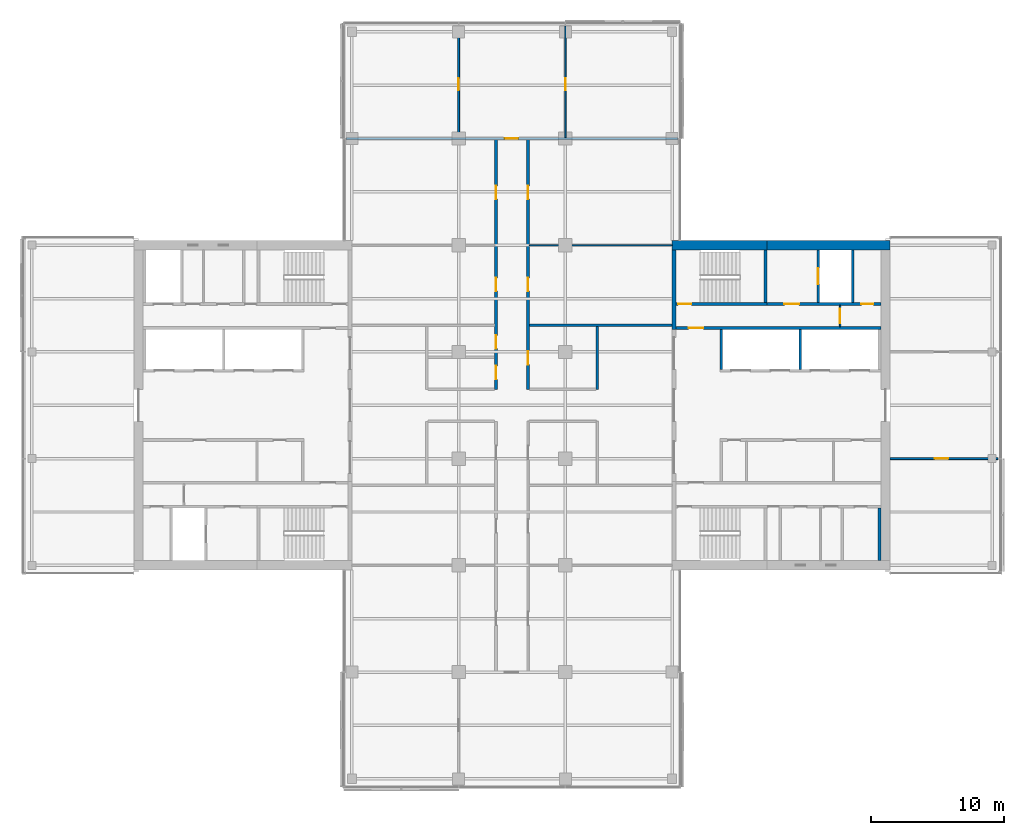
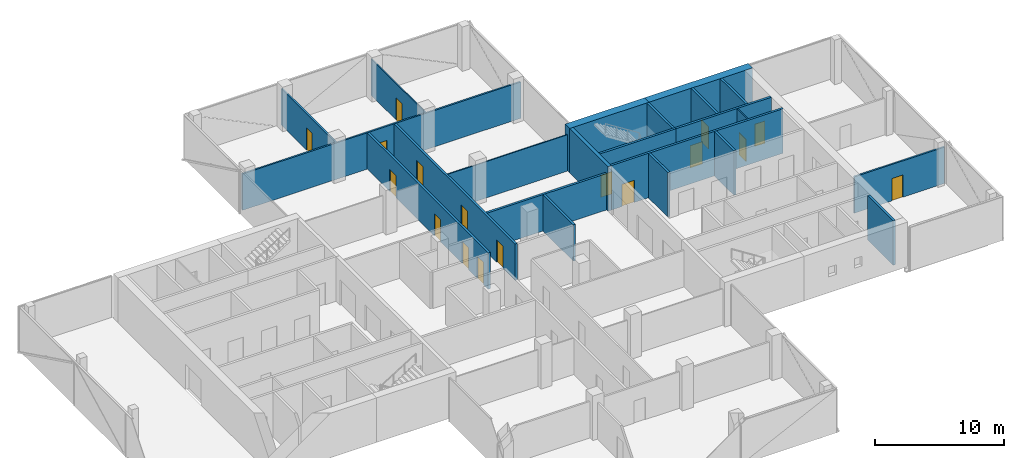
# One storey, part 16 of 22: 22 walls, 17 doors, 17 openings.
"""IFC4 building model written with IfcOpenShell, lengths in metres."""

import ifcopenshell
import ifcopenshell.guid

model = None  # the IFC model being written
_history = None  # IfcOwnerHistory: only IFC2X3 demands one
_inside = {}  # id of a spatial element -> (the spatial element, [elements in it])
_under = {}  # id of a project, library or spatial element -> (it, [spatial elements below it])
_declared = {}  # id of a project -> (the project, [libraries it declares])
_typed = {}  # id of a type object -> (the type object, [elements of that type])
_made_of = {}  # id of a material, layer set ... -> (it, [elements and type objects made of it])


def new_model(schema):
    """Start an empty IFC model of exactly this schema.

    Asked for "IFC4X3", IfcOpenShell would pick the latest addendum, in which some entities
    have other attributes; the version numbers below select the first issue.
    IFC2X3 requires an IfcOwnerHistory on every rooted entity: one is made here for all.
    """
    global model, _history
    if schema == "IFC4X3":
        model = ifcopenshell.file(schema_version=(4, 3, 0, 0))
    else:
        model = ifcopenshell.file(schema=schema)
    _inside.clear()
    _under.clear()
    _declared.clear()
    _typed.clear()
    _made_of.clear()
    _history = None
    if model.schema == "IFC2X3":
        org = make("IfcOrganization", Name="unknown")
        user = make(
            "IfcPersonAndOrganization",
            ThePerson=make("IfcPerson", FamilyName="unknown"),
            TheOrganization=org,
        )
        app = make(
            "IfcApplication",
            ApplicationDeveloper=org,
            Version="unknown",
            ApplicationFullName="unknown",
            ApplicationIdentifier="unknown",
        )
        _history = make(
            "IfcOwnerHistory",
            OwningUser=user,
            OwningApplication=app,
            ChangeAction="ADDED",
            CreationDate=0,
        )
    return model


def make(cls, **values):
    """One entity of the class cls with the attributes given. An attribute that is None is left unset."""
    return model.create_entity(
        cls, **{name: value for name, value in values.items() if value is not None}
    )


def rooted(cls, **values):
    """An entity with a GlobalId (a new one), such as an element, a storey or a relation."""
    return make(cls, GlobalId=ifcopenshell.guid.new(), OwnerHistory=_history, **values)


def si_unit(unit_type, name, prefix=None):
    """IfcSIUnit, for example si_unit("LENGTHUNIT", "METRE", prefix="MILLI")."""
    return make("IfcSIUnit", UnitType=unit_type, Prefix=prefix, Name=name)


def assignment(units):
    """IfcUnitAssignment: the units of a project."""
    return None if units is None else make("IfcUnitAssignment", Units=units)


def point(xyz):
    """IfcCartesianPoint."""
    return None if xyz is None else make("IfcCartesianPoint", Coordinates=xyz)


def direction(xyz):
    """IfcDirection."""
    return None if xyz is None else make("IfcDirection", DirectionRatios=xyz)


def frame(location, z_axis=None, x_axis=None):
    """IfcAxis2Placement3D, a coordinate frame: its origin and axes. An axis left out is left unset."""
    return make(
        "IfcAxis2Placement3D",
        Location=point(location),
        Axis=direction(z_axis),
        RefDirection=direction(x_axis),
    )


def frame_2d(location, x_axis=None):
    """IfcAxis2Placement2D, a coordinate frame in the plane: its origin and x axis."""
    return make(
        "IfcAxis2Placement2D", Location=point(location), RefDirection=direction(x_axis)
    )


def origin():
    """The frame at (0, 0, 0) with its axes left unset."""
    return frame((0.0, 0.0, 0.0))


def place(relative_to, where):
    """IfcLocalPlacement: puts the frame where relative to a parent placement (None: the world)."""
    return make(
        "IfcLocalPlacement", PlacementRelTo=relative_to, RelativePlacement=where
    )


def context(
    kind, dimensions, precision=None, world=None, true_north=None, identifier=None
):
    """IfcGeometricRepresentationContext, for example the 3D "Model" context."""
    return make(
        "IfcGeometricRepresentationContext",
        ContextIdentifier=identifier,
        ContextType=kind,
        CoordinateSpaceDimension=dimensions,
        Precision=precision,
        WorldCoordinateSystem=world,
        TrueNorth=true_north,
    )


def subcontext(parent, identifier, kind, view, scale=None):
    """IfcGeometricRepresentationSubContext, for example "Body" below "Model"."""
    return make(
        "IfcGeometricRepresentationSubContext",
        ContextIdentifier=identifier,
        ContextType=kind,
        ParentContext=parent,
        TargetScale=scale,
        TargetView=view,
    )


def project(units=None, contexts=None):
    """IfcProject with its units and contexts."""
    return rooted(
        "IfcProject",
        Name="project",
        RepresentationContexts=contexts,
        UnitsInContext=assignment(units),
    )


def spatial(cls, under=None, at=None, **own):
    """A site, building, storey or space (cls), placed at a placement, below another one or the project."""
    s = rooted(cls, ObjectPlacement=at, **own)
    if under is not None:
        _under.setdefault(under.id(), (under, []))[1].append(s)
    return s


def profile(cls, at=None, kind="AREA", **sizes):
    """A parametric profile (cls). Its sizes go by their IFC names, for example OverallWidth=200.0."""
    return make(cls, ProfileType=kind, Position=at, **sizes)


def rectangle(**sizes):
    """IfcRectangleProfileDef."""
    return profile("IfcRectangleProfileDef", **sizes)


def extrude(swept, where, along, depth):
    """IfcExtrudedAreaSolid: the profile swept, set in the frame where, extruded along a direction by depth."""
    return make(
        "IfcExtrudedAreaSolid",
        SweptArea=swept,
        Position=where,
        ExtrudedDirection=direction(along),
        Depth=depth,
    )


def shape(context_of_items, identifier, shape_type, items):
    """IfcShapeRepresentation: the items that make up one representation, for example the "Body"."""
    return make(
        "IfcShapeRepresentation",
        ContextOfItems=context_of_items,
        RepresentationIdentifier=identifier,
        RepresentationType=shape_type,
        Items=items,
    )


def material(Name=None, Category=None):
    """IfcMaterial."""
    return make("IfcMaterial", Name=Name, Category=Category)


def layer(
    of_material, thickness, ventilated=None, Name=None, Category=None, Priority=None
):
    """IfcMaterialLayer: one layer of a wall or slab, of a material (None: an air gap)."""
    return make(
        "IfcMaterialLayer",
        Material=of_material,
        LayerThickness=thickness,
        IsVentilated=ventilated,
        Name=Name,
        Category=Category,
        Priority=Priority,
    )


def layer_set(layers, Name=None):
    """IfcMaterialLayerSet."""
    return make("IfcMaterialLayerSet", MaterialLayers=layers, LayerSetName=Name)


def constituent(of_material, Name=None, Category=None, fraction=None):
    """IfcMaterialConstituent: one of the materials an element consists of."""
    return make(
        "IfcMaterialConstituent",
        Name=Name,
        Material=of_material,
        Fraction=fraction,
        Category=Category,
    )


def constituent_set(constituents=None, Name=None):
    """IfcMaterialConstituentSet."""
    return make(
        "IfcMaterialConstituentSet", Name=Name, MaterialConstituents=constituents
    )


def made_of(thing, what):
    """Note that an element or type object is made of a material, layer set ...; save() writes the relation."""
    if what is not None:
        _made_of.setdefault(what.id(), (what, []))[1].append(thing)
    return thing


def type_object(cls, material=None, **own):
    """A type object (cls), such as IfcWallType, which elements share."""
    return made_of(rooted(cls, **own), material)


def element(
    cls,
    number,
    at=None,
    inside=None,
    cuts=None,
    type_object=None,
    material=None,
    context=None,
    identifier="Body",
    shape_type=None,
    held_by="IfcProductDefinitionShape",
    body=None,
    shapes=None,
    **own,
):
    """One element of the class cls, such as IfcWall. Its Tag is "e" and its number.

    at: its placement. inside: the storey or other place that contains it. cuts: it is an
    opening in that element (IfcRelVoidsElement). A single representation is given by context,
    identifier, shape_type and body (its items); several are given by shapes. held_by: the class
    of the entity that holds the representations. save() writes the other relations.
    """
    e = rooted(cls, Tag="e%d" % number, ObjectPlacement=at, **own)
    if body is not None:
        shapes = [shape(context, identifier, shape_type, body)]
    if shapes is not None:
        e.Representation = make(held_by, Representations=shapes)
    if inside is not None:
        _inside.setdefault(inside.id(), (inside, []))[1].append(e)
    if cuts is not None:
        rooted(
            "IfcRelVoidsElement", RelatingBuildingElement=cuts, RelatedOpeningElement=e
        )
    if type_object is not None:
        _typed.setdefault(type_object.id(), (type_object, []))[1].append(e)
    return made_of(e, material)


def fill(opening, filler):
    """IfcRelFillsElement: the door or window that sits in an opening."""
    return rooted(
        "IfcRelFillsElement",
        RelatingOpeningElement=opening,
        RelatedBuildingElement=filler,
    )


def aggregate(whole, parts):
    """IfcRelAggregates: a whole, such as a stair, and the parts it consists of."""
    return rooted("IfcRelAggregates", RelatingObject=whole, RelatedObjects=parts)


def save(model, path):
    """Write the relations noted so far, then the file.

    IfcRelAggregates (storeys below a building ...), IfcRelContainedInSpatialStructure (elements
    in a storey), IfcRelDefinesByType, IfcRelAssociatesMaterial and IfcRelDeclares: one each for
    every whole, place, type object, material and project.
    """
    for whole, parts in _under.values():
        aggregate(whole, parts)
    for where, things in _inside.values():
        rooted(
            "IfcRelContainedInSpatialStructure",
            RelatedElements=things,
            RelatingStructure=where,
        )
    for kind, things in _typed.values():
        rooted("IfcRelDefinesByType", RelatedObjects=things, RelatingType=kind)
    for what, things in _made_of.values():
        rooted("IfcRelAssociatesMaterial", RelatedObjects=things, RelatingMaterial=what)
    for by, libraries in _declared.values():
        rooted("IfcRelDeclares", RelatingContext=by, RelatedDefinitions=libraries)
    model.write(path)


model = new_model("IFC4")

# Units and contexts
model_context = context("Model", 3, precision=1e-05, world=origin(), true_north=direction((0.0, 1.0)))
body_context = subcontext(model_context, "Body", "Model", "MODEL_VIEW")
ifc_project = project(units=[si_unit("LENGTHUNIT", "METRE"), si_unit("AREAUNIT", "SQUARE_METRE"), si_unit("VOLUMEUNIT", "CUBIC_METRE"), si_unit("PLANEANGLEUNIT", "RADIAN"), si_unit("MASSUNIT", "GRAM", prefix="KILO")], contexts=[model_context])

# Site, building, storey
site_placement = place(None, origin())
site = spatial("IfcSite", under=ifc_project, at=site_placement, CompositionType="ELEMENT")
building_placement = place(site_placement, origin())
building = spatial("IfcBuilding", under=site, at=building_placement, Name="Crosswind Convention Tower", CompositionType="ELEMENT")
storey_placement = place(building_placement, frame((0.0, 0.0, 129.5)))
storey = spatial("IfcBuildingStorey", under=building, at=storey_placement, Name="L26", CompositionType="ELEMENT", Elevation=129.5)

# Wall, openings, doors
ifc_material_1 = material(Name="Concrete blockwork", Category="masonry")
ifc_layer_1 = layer(ifc_material_1, 0.199951171875)
ifc_layer_set_1 = layer_set([ifc_layer_1], Name="COMPARTMENT WALL 200 BLOCKWORK")
wall_type_1 = type_object("IfcWallType", Name="COMPARTMENT WALL 200 BLOCKWORK", PredefinedType="SOLIDWALL", material=ifc_layer_set_1)
wall_1_placement = place(storey_placement, frame((123.800048828125, 101.199951171875, 0.0), z_axis=(0.0, 0.0, 1.0), x_axis=(0.0, 1.0, 0.0)))
wall_1 = element("IfcWall", 1, at=wall_1_placement, inside=storey, type_object=wall_type_1, Name="Compartment wall WT42", PredefinedType="SOLIDWALL", context=body_context, shape_type="SweptSolid", body=[
    extrude(rectangle(XDim=18.72509765625, YDim=0.199951171875, at=frame_2d((9.362548828125, 0.0))), origin(), (0.0, 0.0, 1.0), 3.436279296875),
])
opening_1_placement = place(wall_1_placement, frame((0.75, 0.0, 0.0)))
opening_1 = element("IfcOpeningElement", 2, at=opening_1_placement, cuts=wall_1, Name="Opening L26-56", PredefinedType="OPENING", context=body_context, shape_type="SweptSolid", body=[
    extrude(rectangle(XDim=1.0, YDim=2.10009765625, at=frame_2d((0.5, 1.050048828125))), frame((0.0, 0.10986328125, 0.0), z_axis=(0.0, -1.0, 0.0), x_axis=(1.0, 0.0, 0.0)), (0.0, 0.0, 1.0), 0.219970703125),
])
opening_2_placement = place(wall_1_placement, frame((3.050048828125, 0.0, 0.0)))
opening_2 = element("IfcOpeningElement", 3, at=opening_2_placement, cuts=wall_1, Name="Opening L26-57", PredefinedType="OPENING", context=body_context, shape_type="SweptSolid", body=[
    extrude(rectangle(XDim=1.0, YDim=2.10009765625, at=frame_2d((0.5, 1.050048828125))), frame((0.0, 0.10986328125, 0.0), z_axis=(0.0, -1.0, 0.0), x_axis=(1.0, 0.0, 0.0)), (0.0, 0.0, 1.0), 0.219970703125),
])
opening_3_placement = place(wall_1_placement, frame((7.35009765625, 0.0, 0.0)))
opening_3 = element("IfcOpeningElement", 4, at=opening_3_placement, cuts=wall_1, Name="Opening L26-58", PredefinedType="OPENING", context=body_context, shape_type="SweptSolid", body=[
    extrude(rectangle(XDim=1.0, YDim=2.10009765625, at=frame_2d((0.5, 1.050048828125))), frame((0.0, 0.10986328125, 0.0), z_axis=(0.0, -1.0, 0.0), x_axis=(1.0, 0.0, 0.0)), (0.0, 0.0, 1.0), 0.219970703125),
])
opening_4_placement = place(wall_1_placement, frame((14.25, 0.0, 0.0)))
opening_4 = element("IfcOpeningElement", 5, at=opening_4_placement, cuts=wall_1, Name="Opening L26-59", PredefinedType="OPENING", context=body_context, shape_type="SweptSolid", body=[
    extrude(rectangle(XDim=1.0, YDim=2.10009765625, at=frame_2d((0.5, 1.050048828125))), frame((0.0, 0.10986328125, 0.0), z_axis=(0.0, -1.0, 0.0), x_axis=(1.0, 0.0, 0.0)), (0.0, 0.0, 1.0), 0.219970703125),
])
ifc_material_2 = material(Name="Steel fire door", Category="steel")
door_type_1 = type_object("IfcDoorType", Name="PLANT ROOM DOOR 1000X2100 FD60", OperationType="NOTDEFINED", PredefinedType="DOOR", material=ifc_material_2)
door_1_placement = place(opening_1_placement, origin())
door_1 = element("IfcDoor", 6, at=door_1_placement, inside=storey, type_object=door_type_1, Name="Door L26-56", ObjectType="D43", OperationType="SINGLE_SWING_RIGHT", OverallHeight=2.10009765625, OverallWidth=1.0, PredefinedType="DOOR", context=body_context, shape_type="SweptSolid", body=[
    extrude(rectangle(XDim=1.0, YDim=2.10009765625, at=frame_2d((0.5, 1.050048828125))), frame((0.0, 0.02490234375, 0.0), z_axis=(0.0, -1.0, 0.0), x_axis=(1.0, 0.0, 0.0)), (0.0, 0.0, 1.0), 0.050048828125),
])
fill(opening_1, door_1)
ifc_material_3 = material(Name="Timber fire door", Category="wood")
door_type_2 = type_object("IfcDoorType", Name="TENANCY ENTRANCE DOOR 1000X2100 FD30S", OperationType="NOTDEFINED", PredefinedType="DOOR", material=ifc_material_3)
door_2_placement = place(opening_2_placement, origin())
door_2 = element("IfcDoor", 7, at=door_2_placement, inside=storey, type_object=door_type_2, Name="Door L26-57", ObjectType="D41", OperationType="SINGLE_SWING_LEFT", OverallHeight=2.10009765625, OverallWidth=1.0, PredefinedType="DOOR", context=body_context, shape_type="SweptSolid", body=[
    extrude(rectangle(XDim=1.0, YDim=2.10009765625, at=frame_2d((0.5, 1.050048828125))), frame((0.0, 0.02490234375, 0.0), z_axis=(0.0, -1.0, 0.0), x_axis=(1.0, 0.0, 0.0)), (0.0, 0.0, 1.0), 0.050048828125),
])
fill(opening_2, door_2)
door_3_placement = place(opening_3_placement, origin())
door_3 = element("IfcDoor", 8, at=door_3_placement, inside=storey, type_object=door_type_2, Name="Door L26-58", ObjectType="D41", OperationType="SINGLE_SWING_RIGHT", OverallHeight=2.10009765625, OverallWidth=1.0, PredefinedType="DOOR", context=body_context, shape_type="SweptSolid", body=[
    extrude(rectangle(XDim=1.0, YDim=2.10009765625, at=frame_2d((0.5, 1.050048828125))), frame((0.0, 0.02490234375, 0.0), z_axis=(0.0, -1.0, 0.0), x_axis=(1.0, 0.0, 0.0)), (0.0, 0.0, 1.0), 0.050048828125),
])
fill(opening_3, door_3)
door_4_placement = place(opening_4_placement, origin())
door_4 = element("IfcDoor", 9, at=door_4_placement, inside=storey, type_object=door_type_2, Name="Door L26-59", ObjectType="D41", OperationType="SINGLE_SWING_LEFT", OverallHeight=2.10009765625, OverallWidth=1.0, PredefinedType="DOOR", context=body_context, shape_type="SweptSolid", body=[
    extrude(rectangle(XDim=1.0, YDim=2.10009765625, at=frame_2d((0.5, 1.050048828125))), frame((0.0, 0.02490234375, 0.0), z_axis=(0.0, -1.0, 0.0), x_axis=(1.0, 0.0, 0.0)), (0.0, 0.0, 1.0), 0.050048828125),
])
fill(opening_4, door_4)

wall_2_placement = place(storey_placement, frame((126.199951171875, 101.199951171875, 0.0), z_axis=(0.0, 0.0, 1.0), x_axis=(0.0, 1.0, 0.0)))
wall_2 = element("IfcWall", 10, at=wall_2_placement, inside=storey, type_object=wall_type_1, Name="Compartment wall WT42", PredefinedType="SOLIDWALL", context=body_context, shape_type="SweptSolid", body=[
    extrude(rectangle(XDim=18.72509765625, YDim=0.199951171875, at=frame_2d((9.362548828125, 0.0))), origin(), (0.0, 0.0, 1.0), 3.436279296875),
])
opening_5_placement = place(wall_2_placement, frame((1.85009765625, 0.0, 0.0)))
opening_5 = element("IfcOpeningElement", 11, at=opening_5_placement, cuts=wall_2, Name="Opening L26-50", PredefinedType="OPENING", context=body_context, shape_type="SweptSolid", body=[
    extrude(rectangle(XDim=1.0, YDim=2.10009765625, at=frame_2d((0.5, 1.050048828125))), frame((0.0, 0.10986328125, 0.0), z_axis=(0.0, -1.0, 0.0), x_axis=(1.0, 0.0, 0.0)), (0.0, 0.0, 1.0), 0.219970703125),
])
opening_6_placement = place(wall_2_placement, frame((7.35009765625, 0.0, 0.0)))
opening_6 = element("IfcOpeningElement", 12, at=opening_6_placement, cuts=wall_2, Name="Opening L26-51", PredefinedType="OPENING", context=body_context, shape_type="SweptSolid", body=[
    extrude(rectangle(XDim=1.0, YDim=2.10009765625, at=frame_2d((0.5, 1.050048828125))), frame((0.0, 0.10986328125, 0.0), z_axis=(0.0, -1.0, 0.0), x_axis=(1.0, 0.0, 0.0)), (0.0, 0.0, 1.0), 0.219970703125),
])
opening_7_placement = place(wall_2_placement, frame((14.25, 0.0, 0.0)))
opening_7 = element("IfcOpeningElement", 13, at=opening_7_placement, cuts=wall_2, Name="Opening L26-52", PredefinedType="OPENING", context=body_context, shape_type="SweptSolid", body=[
    extrude(rectangle(XDim=1.0, YDim=2.10009765625, at=frame_2d((0.5, 1.050048828125))), frame((0.0, 0.10986328125, 0.0), z_axis=(0.0, -1.0, 0.0), x_axis=(1.0, 0.0, 0.0)), (0.0, 0.0, 1.0), 0.219970703125),
])
door_5_placement = place(opening_5_placement, frame((1.0, 0.0, 0.0), z_axis=(0.0, 0.0, 1.0), x_axis=(-1.0, 0.0, 0.0)))
door_5 = element("IfcDoor", 14, at=door_5_placement, inside=storey, type_object=door_type_1, Name="Door L26-50", ObjectType="D43", OperationType="SINGLE_SWING_RIGHT", OverallHeight=2.10009765625, OverallWidth=1.0, PredefinedType="DOOR", context=body_context, shape_type="SweptSolid", body=[
    extrude(rectangle(XDim=1.0, YDim=2.10009765625, at=frame_2d((0.5, 1.050048828125))), frame((0.0, 0.02490234375, 0.0), z_axis=(0.0, -1.0, 0.0), x_axis=(1.0, 0.0, 0.0)), (0.0, 0.0, 1.0), 0.050048828125),
])
fill(opening_5, door_5)
door_6_placement = place(opening_6_placement, origin())
door_6 = element("IfcDoor", 15, at=door_6_placement, inside=storey, type_object=door_type_2, Name="Door L26-51", ObjectType="D41", OperationType="SINGLE_SWING_RIGHT", OverallHeight=2.10009765625, OverallWidth=1.0, PredefinedType="DOOR", context=body_context, shape_type="SweptSolid", body=[
    extrude(rectangle(XDim=1.0, YDim=2.10009765625, at=frame_2d((0.5, 1.050048828125))), frame((0.0, 0.02490234375, 0.0), z_axis=(0.0, -1.0, 0.0), x_axis=(1.0, 0.0, 0.0)), (0.0, 0.0, 1.0), 0.050048828125),
])
fill(opening_6, door_6)
door_7_placement = place(opening_7_placement, frame((1.0, 0.0, 0.0), z_axis=(0.0, 0.0, 1.0), x_axis=(-1.0, 0.0, 0.0)))
door_7 = element("IfcDoor", 16, at=door_7_placement, inside=storey, type_object=door_type_2, Name="Door L26-52", ObjectType="D41", OperationType="SINGLE_SWING_RIGHT", OverallHeight=2.10009765625, OverallWidth=1.0, PredefinedType="DOOR", context=body_context, shape_type="SweptSolid", body=[
    extrude(rectangle(XDim=1.0, YDim=2.10009765625, at=frame_2d((0.5, 1.050048828125))), frame((0.0, 0.02490234375, 0.0), z_axis=(0.0, -1.0, 0.0), x_axis=(1.0, 0.0, 0.0)), (0.0, 0.0, 1.0), 0.050048828125),
])
fill(opening_7, door_7)

# Walls
wall_3_placement = place(storey_placement, frame((131.39990234375, 101.199951171875, 0.0), z_axis=(0.0, 0.0, 1.0), x_axis=(0.0, 1.0, 0.0)))
element("IfcWall", 17, at=wall_3_placement, inside=storey, type_object=wall_type_1, Name="Compartment wall WT42", PredefinedType="SOLIDWALL", context=body_context, shape_type="SweptSolid", body=[
    extrude(rectangle(XDim=4.699951171875, YDim=0.199951171875, at=frame_2d((2.35009765625, 0.0))), origin(), (0.0, 0.0, 1.0), 3.436279296875),
])
wall_4_placement = place(storey_placement, frame((126.300048828125, 106.0, 0.0), z_axis=(0.0, 0.0, 1.0), x_axis=(1.0, 0.0, 0.0)))
element("IfcWall", 18, at=wall_4_placement, inside=storey, type_object=wall_type_1, Name="Compartment wall WT42", PredefinedType="SOLIDWALL", context=body_context, shape_type="SweptSolid", body=[
    extrude(rectangle(XDim=10.699951171875, YDim=0.199951171875, at=frame_2d((5.35009765625, 0.0))), origin(), (0.0, 0.0, 1.0), 3.436279296875),
])
ifc_material_4 = material(Name="Concrete C50/60", Category="concrete")
ifc_layer_2 = layer(ifc_material_4, 0.300048828125)
ifc_layer_set_2 = layer_set([ifc_layer_2], Name="Concrete C50/60")
wall_type_2 = type_object("IfcWallType", Name="Concrete inner core wall 300", PredefinedType="SHEAR", material=ifc_layer_set_2)
wall_5_placement = place(storey_placement, frame((137.14990234375, 105.699951171875, 0.0), z_axis=(0.0, 0.0, 1.0), x_axis=(0.0, 1.0, 0.0)))
element("IfcWall", 19, at=wall_5_placement, inside=storey, type_object=wall_type_2, Name="Wall EP E L26", PredefinedType="SHEAR", context=body_context, shape_type="SweptSolid", body=[
    extrude(rectangle(XDim=5.949951171875, YDim=0.300048828125, at=frame_2d((2.97509765625, 0.0))), origin(), (0.0, 0.0, 1.0), 4.199951171875),
])
ifc_layer_3 = layer(ifc_material_4, 0.199951171875)
ifc_layer_set_3 = layer_set([ifc_layer_3], Name="Concrete C50/60")
wall_type_3 = type_object("IfcWallType", Name="Concrete shaft and stair wall 200", PredefinedType="SHEAR", material=ifc_layer_set_3)
for number, where, z_axis, x_axis, name in (
    (20, (140.699951171875, 102.699951171875, 0.0), (0.0, 0.0, 1.0), (0.0, 1.0, 0.0), "Wall RPEND E L26"),
    (21, (146.60009765625, 102.699951171875, 0.0), (0.0, 0.0, 1.0), (0.0, 1.0, 0.0), "Wall RPSEP E L26"),
):
    element("IfcWall", number, at=place(storey_placement, frame(where, z_axis=z_axis, x_axis=x_axis)), inside=storey, type_object=wall_type_3, Name=name, PredefinedType="SHEAR", context=body_context, shape_type="SweptSolid", body=[
        extrude(rectangle(XDim=3.0, YDim=0.199951171875, at=frame_2d((1.5, 0.0))), origin(), (0.0, 0.0, 1.0), 4.199951171875),
    ])

# Wall, opening, door
wall_6_placement = place(storey_placement, frame((137.300048828125, 105.800048828125, 0.0), z_axis=(0.0, 0.0, 1.0), x_axis=(1.0, 0.0, 0.0)))
wall_6 = element("IfcWall", 22, at=wall_6_placement, inside=storey, type_object=wall_type_3, Name="Wall HP E L26", PredefinedType="SHEAR", context=body_context, shape_type="SweptSolid", body=[
    extrude(rectangle(XDim=15.349853515625, YDim=0.199951171875, at=frame_2d((7.6748046875, 0.0))), origin(), (0.0, 0.0, 1.0), 4.199951171875),
])
opening_8_placement = place(wall_6_placement, frame((0.949951171875, 0.0, 0.0)))
opening_8 = element("IfcOpeningElement", 23, at=opening_8_placement, cuts=wall_6, Name="Opening D104", PredefinedType="OPENING", context=body_context, shape_type="SweptSolid", body=[
    extrude(rectangle(XDim=1.10009765625, YDim=2.10009765625, at=frame_2d((0.550048828125, 1.050048828125))), frame((0.0, 0.10986328125, 0.0), z_axis=(0.0, -1.0, 0.0), x_axis=(1.0, 0.0, 0.0)), (0.0, 0.0, 1.0), 0.219970703125),
])
door_type_3 = type_object("IfcDoorType", Name="Fire-rated single door 1100x2100", OperationType="NOTDEFINED", PredefinedType="DOOR", material=ifc_material_2)
door_8_placement = place(opening_8_placement, origin())
door_8 = element("IfcDoor", 24, at=door_8_placement, inside=storey, type_object=door_type_3, Name="Corridor door L26", ObjectType="D104", OperationType="SINGLE_SWING_LEFT", OverallHeight=2.10009765625, OverallWidth=1.10009765625, PredefinedType="DOOR", context=body_context, shape_type="SweptSolid", body=[
    extrude(rectangle(XDim=1.10009765625, YDim=2.10009765625, at=frame_2d((0.550048828125, 1.050048828125))), frame((0.0, 0.02490234375, 0.0), z_axis=(0.0, -1.0, 0.0), x_axis=(1.0, 0.0, 0.0)), (0.0, 0.0, 1.0), 0.050048828125),
])
fill(opening_8, door_8)

# Wall
wall_7_placement = place(storey_placement, frame((144.0, 107.699951171875, 0.0), z_axis=(0.0, 0.0, 1.0), x_axis=(0.0, 1.0, 0.0)))
element("IfcWall", 25, at=wall_7_placement, inside=storey, type_object=wall_type_3, Name="Wall PSE E L26", PredefinedType="SHEAR", context=body_context, shape_type="SweptSolid", body=[
    extrude(rectangle(XDim=3.949951171875, YDim=0.199951171875, at=frame_2d((1.97509765625, 0.0))), origin(), (0.0, 0.0, 1.0), 4.199951171875),
])

# Wall, opening, door
wall_8_placement = place(storey_placement, frame((147.949951171875, 107.699951171875, 0.0), z_axis=(0.0, 0.0, 1.0), x_axis=(0.0, 1.0, 0.0)))
wall_8 = element("IfcWall", 26, at=wall_8_placement, inside=storey, type_object=wall_type_3, Name="Wall PFLW E L26", PredefinedType="SHEAR", context=body_context, shape_type="SweptSolid", body=[
    extrude(rectangle(XDim=3.949951171875, YDim=0.199951171875, at=frame_2d((1.97509765625, 0.0))), origin(), (0.0, 0.0, 1.0), 4.199951171875),
])
opening_9_placement = place(wall_8_placement, frame((1.375, 0.0, 0.0)))
opening_9 = element("IfcOpeningElement", 27, at=opening_9_placement, cuts=wall_8, Name="Opening LD1", PredefinedType="OPENING", context=body_context, shape_type="SweptSolid", body=[
    extrude(rectangle(XDim=1.199951171875, YDim=2.10009765625, at=frame_2d((0.60009765625, 1.050048828125))), frame((0.0, 0.10986328125, 0.0), z_axis=(0.0, -1.0, 0.0), x_axis=(1.0, 0.0, 0.0)), (0.0, 0.0, 1.0), 0.219970703125),
])
ifc_material_5 = material(Name="Stainless steel", Category="steel")
door_type_4 = type_object("IfcDoorType", Name="Lift landing door 1200x2100", OperationType="DOUBLE_DOOR_SLIDING", PredefinedType="DOOR", material=ifc_material_5)
door_9_placement = place(opening_9_placement, origin())
door_9 = element("IfcDoor", 28, at=door_9_placement, inside=storey, type_object=door_type_4, Name="Landing door FF1 L26", ObjectType="LD1", OperationType="DOUBLE_DOOR_SLIDING", OverallHeight=2.10009765625, OverallWidth=1.199951171875, PredefinedType="DOOR", context=body_context, shape_type="SweptSolid", body=[
    extrude(rectangle(XDim=1.199951171875, YDim=2.10009765625, at=frame_2d((0.60009765625, 1.050048828125))), frame((0.0, 0.02490234375, 0.0), z_axis=(0.0, -1.0, 0.0), x_axis=(1.0, 0.0, 0.0)), (0.0, 0.0, 1.0), 0.050048828125),
])
fill(opening_9, door_9)

# Wall
wall_9_placement = place(storey_placement, frame((150.550048828125, 107.699951171875, 0.0), z_axis=(0.0, 0.0, 1.0), x_axis=(0.0, 1.0, 0.0)))
element("IfcWall", 29, at=wall_9_placement, inside=storey, type_object=wall_type_3, Name="Wall PFSE E L26", PredefinedType="SHEAR", context=body_context, shape_type="SweptSolid", body=[
    extrude(rectangle(XDim=3.949951171875, YDim=0.199951171875, at=frame_2d((1.97509765625, 0.0))), origin(), (0.0, 0.0, 1.0), 4.199951171875),
])

# Wall, opening, door
wall_10_placement = place(storey_placement, frame((137.300048828125, 107.60009765625, 0.0), z_axis=(0.0, 0.0, 1.0), x_axis=(1.0, 0.0, 0.0)))
wall_10 = element("IfcWall", 30, at=wall_10_placement, inside=storey, type_object=wall_type_3, Name="Wall PCW E L26", PredefinedType="SHEAR", context=body_context, shape_type="SweptSolid", body=[
    extrude(rectangle(XDim=6.800048828125, YDim=0.199951171875, at=frame_2d((3.39990234375, 0.0))), origin(), (0.0, 0.0, 1.0), 4.199951171875),
])
opening_10_placement = place(wall_10_placement, frame((0.14990234375, 0.0, 0.0)))
opening_10 = element("IfcOpeningElement", 31, at=opening_10_placement, cuts=wall_10, Name="Opening D103", PredefinedType="OPENING", context=body_context, shape_type="SweptSolid", body=[
    extrude(rectangle(XDim=1.0, YDim=2.10009765625, at=frame_2d((0.5, 1.050048828125))), frame((0.0, 0.10986328125, 0.0), z_axis=(0.0, -1.0, 0.0), x_axis=(1.0, 0.0, 0.0)), (0.0, 0.0, 1.0), 0.219970703125),
])
door_type_5 = type_object("IfcDoorType", Name="Fire-rated single door 1000x2100", OperationType="NOTDEFINED", PredefinedType="DOOR", material=ifc_material_2)
door_10_placement = place(opening_10_placement, origin())
door_10 = element("IfcDoor", 32, at=door_10_placement, inside=storey, type_object=door_type_5, Name="Stair ST1 door L26", ObjectType="D103", OperationType="SINGLE_SWING_LEFT", OverallHeight=2.10009765625, OverallWidth=1.0, PredefinedType="DOOR", context=body_context, shape_type="SweptSolid", body=[
    extrude(rectangle(XDim=1.0, YDim=2.10009765625, at=frame_2d((0.5, 1.050048828125))), frame((0.0, 0.02490234375, 0.0), z_axis=(0.0, -1.0, 0.0), x_axis=(1.0, 0.0, 0.0)), (0.0, 0.0, 1.0), 0.050048828125),
])
fill(opening_10, door_10)

# Wall, openings, doors
wall_11_placement = place(storey_placement, frame((144.10009765625, 107.60009765625, 0.0), z_axis=(0.0, 0.0, 1.0), x_axis=(1.0, 0.0, 0.0)))
wall_11 = element("IfcWall", 33, at=wall_11_placement, inside=storey, type_object=wall_type_3, Name="Wall PCX E L26", PredefinedType="SHEAR", context=body_context, shape_type="SweptSolid", body=[
    extrude(rectangle(XDim=8.5498046875, YDim=0.199951171875, at=frame_2d((4.27490234375, 0.0))), origin(), (0.0, 0.0, 1.0), 4.199951171875),
])
opening_11_placement = place(wall_11_placement, frame((1.324951171875, 0.0, 0.0)))
opening_11 = element("IfcOpeningElement", 34, at=opening_11_placement, cuts=wall_11, Name="Opening D104", PredefinedType="OPENING", context=body_context, shape_type="SweptSolid", body=[
    extrude(rectangle(XDim=1.10009765625, YDim=2.10009765625, at=frame_2d((0.550048828125, 1.050048828125))), frame((0.0, 0.10986328125, 0.0), z_axis=(0.0, -1.0, 0.0), x_axis=(1.0, 0.0, 0.0)), (0.0, 0.0, 1.0), 0.219970703125),
])
opening_12_placement = place(wall_11_placement, frame((7.10009765625, 0.0, 0.0)))
opening_12 = element("IfcOpeningElement", 35, at=opening_12_placement, cuts=wall_11, Name="Opening D106", PredefinedType="OPENING", context=body_context, shape_type="SweptSolid", body=[
    extrude(rectangle(XDim=0.89990234375, YDim=2.10009765625, at=frame_2d((0.449951171875, 1.050048828125))), frame((0.0, 0.10986328125, 0.0), z_axis=(0.0, -1.0, 0.0), x_axis=(1.0, 0.0, 0.0)), (0.0, 0.0, 1.0), 0.219970703125),
])
door_11_placement = place(opening_11_placement, origin())
door_11 = element("IfcDoor", 36, at=door_11_placement, inside=storey, type_object=door_type_3, Name="Fire-fighting lobby FF1 door L26", ObjectType="D104", OperationType="SINGLE_SWING_RIGHT", OverallHeight=2.10009765625, OverallWidth=1.10009765625, PredefinedType="DOOR", context=body_context, shape_type="SweptSolid", body=[
    extrude(rectangle(XDim=1.10009765625, YDim=2.10009765625, at=frame_2d((0.550048828125, 1.050048828125))), frame((0.0, 0.02490234375, 0.0), z_axis=(0.0, -1.0, 0.0), x_axis=(1.0, 0.0, 0.0)), (0.0, 0.0, 1.0), 0.050048828125),
])
fill(opening_11, door_11)
ifc_material_6 = material(Name="Timber door", Category="wood")
door_type_6 = type_object("IfcDoorType", Name="Single leaf door 900x2100", OperationType="NOTDEFINED", PredefinedType="DOOR", material=ifc_material_6)
door_12_placement = place(opening_12_placement, origin())
door_12 = element("IfcDoor", 37, at=door_12_placement, inside=storey, type_object=door_type_6, Name="Door to telecoms room L26", ObjectType="D106", OperationType="SINGLE_SWING_RIGHT", OverallHeight=2.10009765625, OverallWidth=0.89990234375, PredefinedType="DOOR", context=body_context, shape_type="SweptSolid", body=[
    extrude(rectangle(XDim=0.89990234375, YDim=2.10009765625, at=frame_2d((0.449951171875, 1.050048828125))), frame((0.0, 0.02490234375, 0.0), z_axis=(0.0, -1.0, 0.0), x_axis=(1.0, 0.0, 0.0)), (0.0, 0.0, 1.0), 0.050048828125),
])
fill(opening_12, door_12)

# Wall
wall_12_placement = place(storey_placement, frame((152.550048828125, 88.35009765625, 0.0), z_axis=(0.0, 0.0, 1.0), x_axis=(0.0, 1.0, 0.0)))
element("IfcWall", 38, at=wall_12_placement, inside=storey, type_object=wall_type_3, Name="Wall MFSE E L26", PredefinedType="SHEAR", context=body_context, shape_type="SweptSolid", body=[
    extrude(rectangle(XDim=3.949951171875, YDim=0.199951171875, at=frame_2d((1.97509765625, 0.0))), origin(), (0.0, 0.0, 1.0), 4.199951171875),
])

# Wall, opening, door
ifc_material_7 = material(Name="Gypsum plasterboard partition", Category="gypsum")
ifc_layer_4 = layer(ifc_material_7, 0.125)
ifc_layer_set_4 = layer_set([ifc_layer_4], Name="Drywall partition wall 125")
wall_type_4 = type_object("IfcWallType", Name="Drywall partition wall 125", PredefinedType="PARTITIONING", material=ifc_layer_set_4)
wall_13_placement = place(storey_placement, frame((149.60009765625, 105.89990234375, 0.0), z_axis=(0.0, 0.0, 1.0), x_axis=(0.0, 1.0, 0.0)))
wall_13 = element("IfcWall", 39, at=wall_13_placement, inside=storey, type_object=wall_type_4, Name="Wall PXC1 E L26", PredefinedType="PARTITIONING", context=body_context, shape_type="SweptSolid", body=[
    extrude(rectangle(XDim=1.60009765625, YDim=0.125, at=frame_2d((0.800048828125, 0.0))), origin(), (0.0, 0.0, 1.0), 4.199951171875),
])
opening_13_placement = place(wall_13_placement, frame((0.25, 0.0, 0.0)))
opening_13 = element("IfcOpeningElement", 40, at=opening_13_placement, cuts=wall_13, Name="Opening D104", PredefinedType="OPENING", context=body_context, shape_type="SweptSolid", body=[
    extrude(rectangle(XDim=1.10009765625, YDim=2.10009765625, at=frame_2d((0.550048828125, 1.050048828125))), frame((0.0, 0.072509765625, 0.0), z_axis=(0.0, -1.0, 0.0), x_axis=(1.0, 0.0, 0.0)), (0.0, 0.0, 1.0), 0.14501953125),
])
door_13_placement = place(opening_13_placement, origin())
door_13 = element("IfcDoor", 41, at=door_13_placement, inside=storey, type_object=door_type_3, Name="Corridor smoke door L26", ObjectType="D104", OperationType="SINGLE_SWING_RIGHT", OverallHeight=2.10009765625, OverallWidth=1.10009765625, PredefinedType="DOOR", context=body_context, shape_type="SweptSolid", body=[
    extrude(rectangle(XDim=1.10009765625, YDim=2.10009765625, at=frame_2d((0.550048828125, 1.050048828125))), frame((0.0, 0.02490234375, 0.0), z_axis=(0.0, -1.0, 0.0), x_axis=(1.0, 0.0, 0.0)), (0.0, 0.0, 1.0), 0.050048828125),
])
fill(opening_13, door_13)

ifc_material_8 = material(Name="Plasterboard partition", Category="gypsum")
ifc_layer_5 = layer(ifc_material_8, 0.10009765625)
ifc_layer_set_5 = layer_set([ifc_layer_5], Name="PARTITION 100 METAL STUD")
wall_type_5 = type_object("IfcWallType", Name="PARTITION 100 METAL STUD", PredefinedType="PARTITIONING", material=ifc_layer_set_5)
wall_14_placement = place(storey_placement, frame((129.0, 120.074951171875, 0.0), z_axis=(0.0, 0.0, 1.0), x_axis=(0.0, 1.0, 0.0)))
wall_14 = element("IfcWall", 42, at=wall_14_placement, inside=storey, type_object=wall_type_5, Name="Partition wall WT40", PredefinedType="PARTITIONING", context=body_context, shape_type="SweptSolid", body=[
    extrude(rectangle(XDim=8.344970703125, YDim=0.10009765625, at=frame_2d((4.17236328125, 0.0))), origin(), (0.0, 0.0, 1.0), 3.436279296875),
])
opening_14_placement = place(wall_14_placement, frame((3.550048828125, 0.0, 0.0)))
opening_14 = element("IfcOpeningElement", 43, at=opening_14_placement, cuts=wall_14, Name="Opening L26-65", PredefinedType="OPENING", context=body_context, shape_type="SweptSolid", body=[
    extrude(rectangle(XDim=0.89990234375, YDim=2.10009765625, at=frame_2d((0.449951171875, 1.050048828125))), frame((0.0, 0.06005859375, 0.0), z_axis=(0.0, -1.0, 0.0), x_axis=(1.0, 0.0, 0.0)), (0.0, 0.0, 1.0), 0.1201171875),
])
door_type_7 = type_object("IfcDoorType", Name="INTERNAL DOOR 900X2100", OperationType="NOTDEFINED", PredefinedType="DOOR", material=ifc_material_6)
door_14_placement = place(opening_14_placement, origin())
door_14 = element("IfcDoor", 44, at=door_14_placement, inside=storey, type_object=door_type_7, Name="Door L26-65", ObjectType="D40", OperationType="SINGLE_SWING_RIGHT", OverallHeight=2.10009765625, OverallWidth=0.89990234375, PredefinedType="DOOR", context=body_context, shape_type="SweptSolid", body=[
    extrude(rectangle(XDim=0.89990234375, YDim=2.10009765625, at=frame_2d((0.449951171875, 1.050048828125))), frame((0.0, 0.02490234375, 0.0), z_axis=(0.0, -1.0, 0.0), x_axis=(1.0, 0.0, 0.0)), (0.0, 0.0, 1.0), 0.050048828125),
])
fill(opening_14, door_14)

# Wall
wall_15_placement = place(storey_placement, frame((126.300048828125, 112.0, 0.0), z_axis=(0.0, 0.0, 1.0), x_axis=(1.0, 0.0, 0.0)))
element("IfcWall", 45, at=wall_15_placement, inside=storey, type_object=wall_type_5, Name="Partition wall WT40", PredefinedType="PARTITIONING", context=body_context, shape_type="SweptSolid", body=[
    extrude(rectangle(XDim=10.699951171875, YDim=0.10009765625, at=frame_2d((5.35009765625, 0.0))), origin(), (0.0, 0.0, 1.0), 3.436279296875),
])

# Wall, opening, door
ifc_material_9 = material(Name="Fire-board partition with mineral wool", Category="gypsum")
ifc_layer_6 = layer(ifc_material_9, 0.14990234375)
ifc_layer_set_6 = layer_set([ifc_layer_6], Name="TENANCY WALL 150 TWO-HOUR BOARD")
wall_type_6 = type_object("IfcWallType", Name="TENANCY WALL 150 TWO-HOUR BOARD", PredefinedType="PARTITIONING", material=ifc_layer_set_6)
wall_16_placement = place(storey_placement, frame((121.0, 120.074951171875, 0.0), z_axis=(0.0, 0.0, 1.0), x_axis=(0.0, 1.0, 0.0)))
wall_16 = element("IfcWall", 46, at=wall_16_placement, inside=storey, type_object=wall_type_6, Name="Tenancy wall WT41", PredefinedType="PARTITIONING", context=body_context, shape_type="SweptSolid", body=[
    extrude(rectangle(XDim=8.344970703125, YDim=0.14990234375, at=frame_2d((4.17236328125, 0.0))), origin(), (0.0, 0.0, 1.0), 3.436279296875),
])
opening_15_placement = place(wall_16_placement, frame((3.550048828125, 0.0, 0.0)))
opening_15 = element("IfcOpeningElement", 47, at=opening_15_placement, cuts=wall_16, Name="Opening L26-64", PredefinedType="OPENING", context=body_context, shape_type="SweptSolid", body=[
    extrude(rectangle(XDim=0.89990234375, YDim=2.10009765625, at=frame_2d((0.449951171875, 1.050048828125))), frame((0.0, 0.0849609375, 0.0), z_axis=(0.0, -1.0, 0.0), x_axis=(1.0, 0.0, 0.0)), (0.0, 0.0, 1.0), 0.169921875),
])
door_15_placement = place(opening_15_placement, frame((0.89990234375, 0.0, 0.0), z_axis=(0.0, 0.0, 1.0), x_axis=(-1.0, 0.0, 0.0)))
door_15 = element("IfcDoor", 48, at=door_15_placement, inside=storey, type_object=door_type_7, Name="Door L26-64", ObjectType="D40", OperationType="SINGLE_SWING_LEFT", OverallHeight=2.10009765625, OverallWidth=0.89990234375, PredefinedType="DOOR", context=body_context, shape_type="SweptSolid", body=[
    extrude(rectangle(XDim=0.89990234375, YDim=2.10009765625, at=frame_2d((0.449951171875, 1.050048828125))), frame((0.0, 0.02490234375, 0.0), z_axis=(0.0, -1.0, 0.0), x_axis=(1.0, 0.0, 0.0)), (0.0, 0.0, 1.0), 0.050048828125),
])
fill(opening_15, door_15)

wall_17_placement = place(storey_placement, frame((153.35009765625, 96.0, 0.0), z_axis=(0.0, 0.0, 1.0), x_axis=(1.0, 0.0, 0.0)))
wall_17 = element("IfcWall", 49, at=wall_17_placement, inside=storey, type_object=wall_type_6, Name="Tenancy wall WT41", PredefinedType="PARTITIONING", context=body_context, shape_type="SweptSolid", body=[
    extrude(rectangle(XDim=8.06982421875, YDim=0.14990234375, at=frame_2d((4.034912109375, 0.0))), origin(), (0.0, 0.0, 1.0), 3.436279296875),
])
opening_16_placement = place(wall_17_placement, frame((3.35009765625, 0.0, 0.0)))
opening_16 = element("IfcOpeningElement", 50, at=opening_16_placement, cuts=wall_17, Name="Opening L26-69", PredefinedType="OPENING", context=body_context, shape_type="SweptSolid", body=[
    extrude(rectangle(XDim=1.0, YDim=2.10009765625, at=frame_2d((0.5, 1.050048828125))), frame((0.0, 0.0849609375, 0.0), z_axis=(0.0, -1.0, 0.0), x_axis=(1.0, 0.0, 0.0)), (0.0, 0.0, 1.0), 0.169921875),
])
door_16_placement = place(opening_16_placement, frame((1.0, 0.0, 0.0), z_axis=(0.0, 0.0, 1.0), x_axis=(-1.0, 0.0, 0.0)))
door_16 = element("IfcDoor", 51, at=door_16_placement, inside=storey, type_object=door_type_2, Name="Door L26-69", ObjectType="D41", OperationType="SINGLE_SWING_LEFT", OverallHeight=2.10009765625, OverallWidth=1.0, PredefinedType="DOOR", context=body_context, shape_type="SweptSolid", body=[
    extrude(rectangle(XDim=1.0, YDim=2.10009765625, at=frame_2d((0.5, 1.050048828125))), frame((0.0, 0.02490234375, 0.0), z_axis=(0.0, -1.0, 0.0), x_axis=(1.0, 0.0, 0.0)), (0.0, 0.0, 1.0), 0.050048828125),
])
fill(opening_16, door_16)

wall_18_placement = place(storey_placement, frame((112.580078125, 120.0, 0.0), z_axis=(0.0, 0.0, 1.0), x_axis=(1.0, 0.0, 0.0)))
wall_18 = element("IfcWall", 52, at=wall_18_placement, inside=storey, type_object=wall_type_6, Name="Tenancy wall WT41", PredefinedType="PARTITIONING", context=body_context, shape_type="SweptSolid", body=[
    extrude(rectangle(XDim=24.83984375, YDim=0.14990234375, at=frame_2d((12.419921875, 0.0))), origin(), (0.0, 0.0, 1.0), 3.436279296875),
])
opening_17_placement = place(wall_18_placement, frame((11.8701171875, 0.0, 0.0)))
opening_17 = element("IfcOpeningElement", 53, at=opening_17_placement, cuts=wall_18, Name="Opening L26-63", PredefinedType="OPENING", context=body_context, shape_type="SweptSolid", body=[
    extrude(rectangle(XDim=1.0, YDim=2.10009765625, at=frame_2d((0.5, 1.050048828125))), frame((0.0, 0.0849609375, 0.0), z_axis=(0.0, -1.0, 0.0), x_axis=(1.0, 0.0, 0.0)), (0.0, 0.0, 1.0), 0.169921875),
])
door_17_placement = place(opening_17_placement, origin())
door_17 = element("IfcDoor", 54, at=door_17_placement, inside=storey, type_object=door_type_2, Name="Door L26-63", ObjectType="D41", OperationType="SINGLE_SWING_LEFT", OverallHeight=2.10009765625, OverallWidth=1.0, PredefinedType="DOOR", context=body_context, shape_type="SweptSolid", body=[
    extrude(rectangle(XDim=1.0, YDim=2.10009765625, at=frame_2d((0.5, 1.050048828125))), frame((0.0, 0.02490234375, 0.0), z_axis=(0.0, -1.0, 0.0), x_axis=(1.0, 0.0, 0.0)), (0.0, 0.0, 1.0), 0.050048828125),
])
fill(opening_17, door_17)

# Walls
ifc_material_10 = material(Name="Concrete C60/75", Category="concrete")
ifc_constituent_1 = constituent(ifc_material_10, Name="Structure")
ifc_material_11 = material(Name="Terracotta rainscreen", Category="ceramic")
ifc_constituent_2 = constituent(ifc_material_11, Name="Facing")
ifc_constituent_set = constituent_set(constituents=[ifc_constituent_1, ifc_constituent_2], Name="Concrete C60/75, Terracotta rainscreen")
wall_type_7 = type_object("IfcWallType", Name="Terracotta rainscreen on concrete core wall 700", PredefinedType="SHEAR", material=ifc_constituent_set)
wall_19_placement = place(storey_placement, frame((137.0, 112.0, 0.0), z_axis=(0.0, 0.0, 1.0), x_axis=(1.0, 0.0, 0.0)))
element("IfcWall", 55, at=wall_19_placement, inside=storey, type_object=wall_type_7, Name="Wall N1 E L26", PredefinedType="SHEAR", context=body_context, shape_type="SweptSolid", body=[
    extrude(rectangle(XDim=7.10009765625, YDim=0.699951171875, at=frame_2d((3.550048828125, 0.0))), origin(), (0.0, 0.0, 1.0), 4.199951171875),
])
wall_20_placement = place(storey_placement, frame((144.10009765625, 112.0, 0.0), z_axis=(0.0, 0.0, 1.0), x_axis=(1.0, 0.0, 0.0)))
element("IfcWall", 56, at=wall_20_placement, inside=storey, type_object=wall_type_7, Name="Wall N2 E L26", PredefinedType="SHEAR", context=body_context, shape_type="SweptSolid", body=[
    extrude(rectangle(XDim=9.25, YDim=0.699951171875, at=frame_2d((4.625, 0.0))), origin(), (0.0, 0.0, 1.0), 4.199951171875),
])

save(model, "model.ifc")
